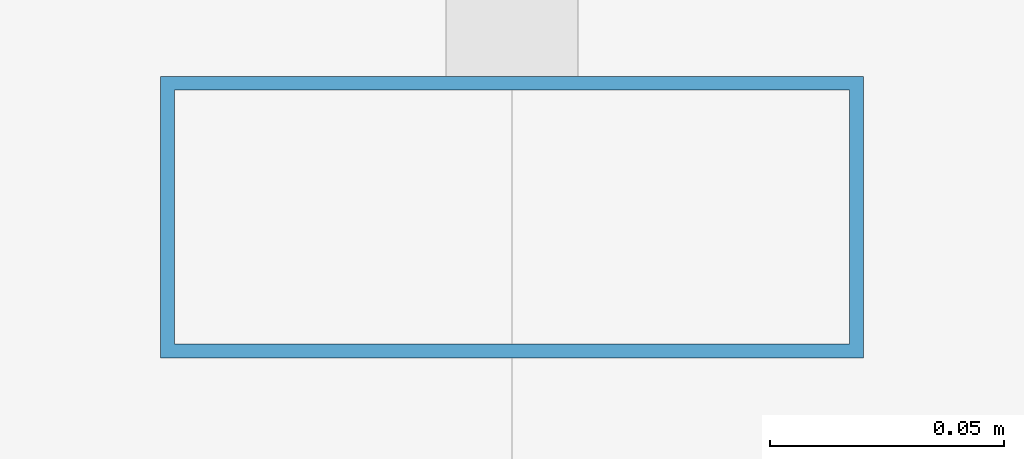
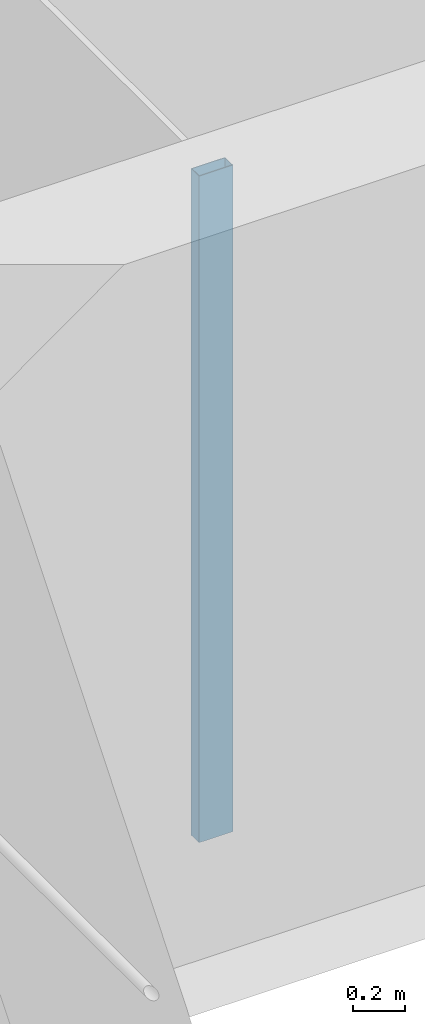
# One storey, part 11 of 40: 1 member, 1 element without a shape of its own.
"""IFC4 building model written with IfcOpenShell, lengths in metres."""

from ifc_helpers import new_model, si_unit, direction, frame, origin, origin_2d, place, context, subcontext, project, spatial, hollow_rectangle, extrude, material, material_profile, profile_set, type_object, element, aggregate, save


model = new_model("IFC4")

# Units and contexts
model_context = context("Model", 3, precision=1e-05, world=origin(), true_north=direction((0.0, 1.0)))
body_context = subcontext(model_context, "Body", "Model", "MODEL_VIEW")
ifc_project = project(units=[si_unit("LENGTHUNIT", "METRE"), si_unit("AREAUNIT", "SQUARE_METRE"), si_unit("VOLUMEUNIT", "CUBIC_METRE"), si_unit("PLANEANGLEUNIT", "RADIAN"), si_unit("MASSUNIT", "GRAM", prefix="KILO")], contexts=[model_context])

# Site, building, storey
site_placement = place(None, origin())
site = spatial("IfcSite", under=ifc_project, at=site_placement, CompositionType="ELEMENT")
building_placement = place(site_placement, origin())
building = spatial("IfcBuilding", under=site, at=building_placement, Name="Altepetl Exchange Towers", CompositionType="ELEMENT")
storey_placement = place(building_placement, frame((0.0, 0.0, 151.0)))
storey = spatial("IfcBuildingStorey", under=building, at=storey_placement, Name="L37", CompositionType="ELEMENT", Elevation=151.0)

# Curtain wall, member
ifc_material_1 = material(Name="Aluminium 6063-T6 glazing", Category="aluminium")
curtain_wall_type = type_object("IfcCurtainWallType", Name="Loggia glazing system", PredefinedType="NOTDEFINED", material=ifc_material_1)
curtain_wall_placement = place(storey_placement, origin())
curtain_wall = element("IfcCurtainWall", 1, at=curtain_wall_placement, inside=storey, type_object=curtain_wall_type, Name="CW1 run", PredefinedType="NOTDEFINED")
ifc_material_2 = material(Name="Aluminium 6063-T6", Category="aluminium")
ifc_material_profile = material_profile(ifc_material_2, hollow_rectangle(XDim=0.06005859375, YDim=0.14990234375, WallThickness=0.0029296875, at=origin_2d()), Name="Mullion 60x150 aluminium")
ifc_profile_set = profile_set([ifc_material_profile], Name="Aluminium 6063-T6")
member_type = type_object("IfcMemberType", Name="Mullion 60x150 aluminium", PredefinedType="MULLION", material=ifc_profile_set)
member_placement = place(storey_placement, frame((42.5, 58.60498046875, 0.0), z_axis=(0.0, 0.0, 1.0), x_axis=(0.0, -1.0, 0.0)))
member = element("IfcMember", 2, at=member_placement, type_object=member_type, Name="MU1 mullion", PredefinedType="MULLION", context=body_context, shape_type="SweptSolid", body=[
    extrude(hollow_rectangle(XDim=0.06005859375, YDim=0.14990234375, WallThickness=0.0029296875, at=origin_2d()), origin(), (0.0, 0.0, 1.0), 3.10009765625),
])
aggregate(curtain_wall, [member])

save(model, "model.ifc")
